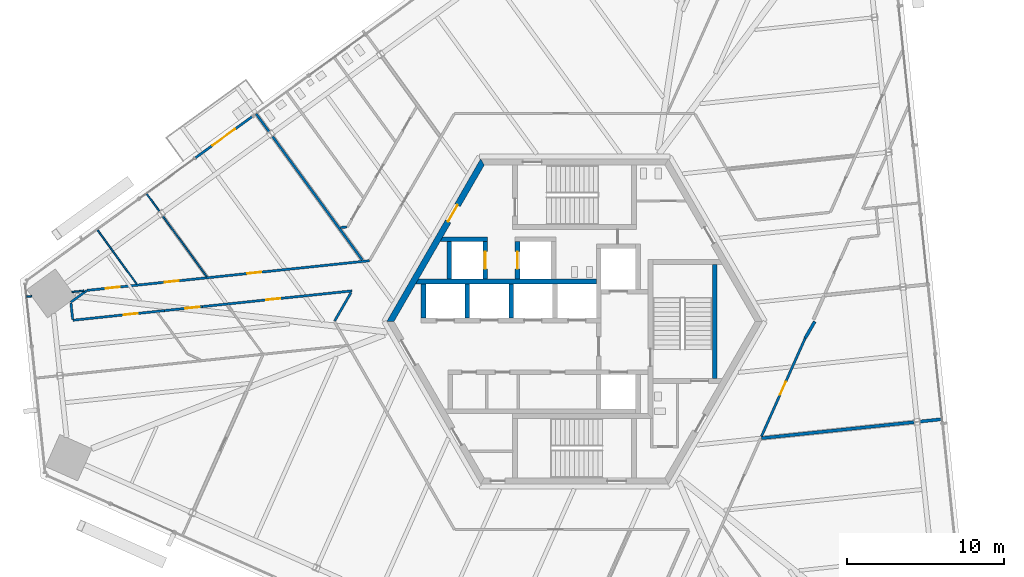
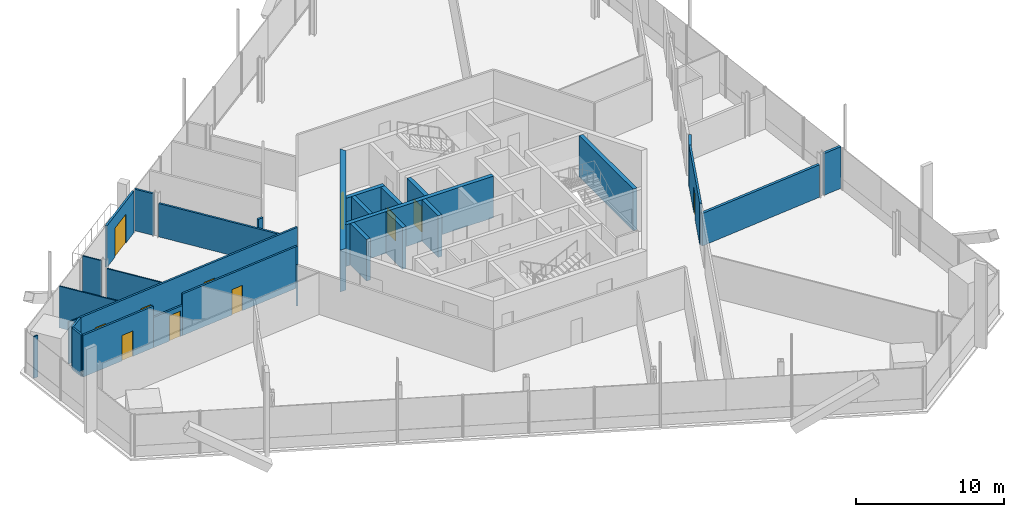
# One storey, part 12 of 21: 30 walls, 11 doors, 11 openings.
"""IFC4 building model written with IfcOpenShell, lengths in metres."""

from ifc_helpers import new_model, si_unit, direction, frame, frame_2d, origin, place, context, subcontext, project, spatial, polyline, rectangle, outline, extrude, source, transform, mapped, material, layer, layer_set, type_object, element, fill, save


model = new_model("IFC4")

# Units and contexts
model_context = context("Model", 3, precision=1e-05, world=origin(), true_north=direction((0.0, 1.0)))
body_context = subcontext(model_context, "Body", "Model", "MODEL_VIEW")
ifc_project = project(units=[si_unit("LENGTHUNIT", "METRE"), si_unit("AREAUNIT", "SQUARE_METRE"), si_unit("VOLUMEUNIT", "CUBIC_METRE"), si_unit("PLANEANGLEUNIT", "RADIAN"), si_unit("MASSUNIT", "GRAM", prefix="KILO")], contexts=[model_context])

# Site, building, storey
site_placement = place(None, origin())
site = spatial("IfcSite", under=ifc_project, at=site_placement, CompositionType="ELEMENT")
building_placement = place(site_placement, origin())
building = spatial("IfcBuilding", under=site, at=building_placement, Name="Triune Harvest Tower", CompositionType="ELEMENT")
storey_placement = place(building_placement, frame((0.0, 0.0, 87.300048828125)))
storey = spatial("IfcBuildingStorey", under=building, at=storey_placement, Name="L21", CompositionType="ELEMENT", Elevation=87.300048828125)

# Walls
ifc_material_1 = material(Name="Gypsum board on steel studs", Category="steel")
ifc_layer_1 = layer(ifc_material_1, 0.14990234375)
ifc_layer_set_1 = layer_set([ifc_layer_1], Name="Gypsum board on steel studs")
wall_type_1 = type_object("IfcWallType", Name="Fire Partition 150 mm", PredefinedType="PARTITIONING", material=ifc_layer_set_1)
wall_1_placement = place(storey_placement, frame((-32.1767578125, 1.18798828125, 0.0), z_axis=(0.0, 0.0, 1.0), x_axis=(0.104433875774, -0.994531832367, 0.0)))
element("IfcWall", 1, at=wall_1_placement, inside=storey, type_object=wall_type_1, Name="Partition L21 001", PredefinedType="PARTITIONING", context=body_context, shape_type="SweptSolid", body=[
    extrude(rectangle(XDim=1.063720703125, YDim=0.14990234375, at=frame_2d((0.53173828125, 0.0))), origin(), (0.0, 0.0, 1.0), 3.43994140625),
])
wall_2_placement = place(storey_placement, frame((-19.2958984375, 11.821533203125, 0.0), z_axis=(0.0, 0.0, 1.0), x_axis=(0.58779659538, -0.809008753018, 0.0)))
element("IfcWall", 2, at=wall_2_placement, inside=storey, type_object=wall_type_1, Name="Partition L21 011", PredefinedType="PARTITIONING", context=body_context, shape_type="SweptSolid", body=[
    extrude(rectangle(XDim=9.754150390625, YDim=0.14990234375, at=frame_2d((4.876953125, 0.0))), origin(), (0.0, 0.0, 1.0), 2.7568359375),
])

# Wall, opening, door
wall_3_placement = place(storey_placement, frame((-32.060302734375, 0.080078125, 0.0), z_axis=(0.0, 0.0, 1.0), x_axis=(0.99451794605, 0.104566031697, 0.0)))
wall_3 = element("IfcWall", 3, at=wall_3_placement, inside=storey, type_object=wall_type_1, Name="Partition L21 027", PredefinedType="PARTITIONING", context=body_context, shape_type="SweptSolid", body=[
    extrude(rectangle(XDim=5.885986328125, YDim=0.14990234375, at=frame_2d((2.94287109375, 0.0))), origin(), (0.0, 0.0, 1.0), 3.43994140625),
])
opening_1_placement = place(wall_3_placement, frame((3.265869140625, 0.0, 0.0)))
opening_1 = element("IfcOpeningElement", 4, at=opening_1_placement, cuts=wall_3, Name="Opening L21-017", PredefinedType="OPENING", context=body_context, shape_type="SweptSolid", body=[
    extrude(rectangle(XDim=0.89990234375, YDim=2.10009765625, at=frame_2d((0.449951171875, 1.050048828125))), frame((0.0, 0.0849609375, 0.0), z_axis=(0.0, -1.0, 0.0), x_axis=(1.0, 0.0, 0.0)), (0.0, 0.0, 1.0), 0.169921875),
])
ifc_material_2 = material(Name="Timber and steel door set", Category="steel")
door_type_1 = type_object("IfcDoorType", Name="Single leaf door FD30 right hand 900 x 2100", OperationType="SINGLE_SWING_RIGHT", PredefinedType="DOOR", material=ifc_material_2)
door_1_placement = place(opening_1_placement, origin())
door_1 = element("IfcDoor", 5, at=door_1_placement, inside=storey, type_object=door_type_1, Name="Door L21-017 Meeting Room 21.17", OperationType="SINGLE_SWING_RIGHT", OverallHeight=2.10009765625, OverallWidth=0.89990234375, PredefinedType="DOOR", context=body_context, shape_type="SweptSolid", body=[
    extrude(rectangle(XDim=0.89990234375, YDim=2.10009765625, at=frame_2d((0.449951171875, 1.050048828125))), frame((0.0, 0.02490234375, 0.0), z_axis=(0.0, -1.0, 0.0), x_axis=(1.0, 0.0, 0.0)), (0.0, 0.0, 1.0), 0.050048828125),
])
fill(opening_1, door_1)

wall_4_placement = place(storey_placement, frame((-26.20654296875, 0.695556640625, 0.0), z_axis=(0.0, 0.0, 1.0), x_axis=(0.994520243756, 0.104544176112, 0.0)))
wall_4 = element("IfcWall", 6, at=wall_4_placement, inside=storey, type_object=wall_type_1, Name="Partition L21 027a", PredefinedType="PARTITIONING", context=body_context, shape_type="SweptSolid", body=[
    extrude(rectangle(XDim=2.4404296875, YDim=0.14990234375, at=frame_2d((1.22021484375, 0.0))), origin(), (0.0, 0.0, 1.0), 2.49755859375),
])
opening_2_placement = place(wall_4_placement, frame((1.353759765625, 0.0, 0.0)))
opening_2 = element("IfcOpeningElement", 7, at=opening_2_placement, cuts=wall_4, Name="Opening L21-016", PredefinedType="OPENING", context=body_context, shape_type="SweptSolid", body=[
    extrude(rectangle(XDim=0.89990234375, YDim=2.10009765625, at=frame_2d((0.449951171875, 1.050048828125))), frame((0.0, 0.0849609375, 0.0), z_axis=(0.0, -1.0, 0.0), x_axis=(1.0, 0.0, 0.0)), (0.0, 0.0, 1.0), 0.169921875),
])
door_2_placement = place(opening_2_placement, origin())
door_2 = element("IfcDoor", 8, at=door_2_placement, inside=storey, type_object=door_type_1, Name="Door L21-016 Office 21.16", OperationType="SINGLE_SWING_RIGHT", OverallHeight=2.10009765625, OverallWidth=0.89990234375, PredefinedType="DOOR", context=body_context, shape_type="SweptSolid", body=[
    extrude(rectangle(XDim=0.89990234375, YDim=2.10009765625, at=frame_2d((0.449951171875, 1.050048828125))), frame((0.0, 0.02490234375, 0.0), z_axis=(0.0, -1.0, 0.0), x_axis=(1.0, 0.0, 0.0)), (0.0, 0.0, 1.0), 0.050048828125),
])
fill(opening_2, door_2)

wall_5_placement = place(storey_placement, frame((-23.779541015625, 0.95068359375, 0.0), z_axis=(0.0, 0.0, 1.0), x_axis=(0.994523668528, 0.104511591399, 0.0)))
wall_5 = element("IfcWall", 9, at=wall_5_placement, inside=storey, type_object=wall_type_1, Name="Partition L21 027b", PredefinedType="PARTITIONING", context=body_context, shape_type="SweptSolid", body=[
    extrude(rectangle(XDim=9.61279296875, YDim=0.14990234375, at=frame_2d((4.806396484375, 0.0))), origin(), (0.0, 0.0, 1.0), 3.43994140625),
])
opening_3_placement = place(wall_5_placement, frame((4.114501953125, 0.0, 0.0)))
opening_3 = element("IfcOpeningElement", 10, at=opening_3_placement, cuts=wall_5, Name="Opening L21-013", PredefinedType="OPENING", context=body_context, shape_type="SweptSolid", body=[
    extrude(rectangle(XDim=0.89990234375, YDim=2.10009765625, at=frame_2d((0.449951171875, 1.050048828125))), frame((0.0, 0.0849609375, 0.0), z_axis=(0.0, -1.0, 0.0), x_axis=(1.0, 0.0, 0.0)), (0.0, 0.0, 1.0), 0.169921875),
])
ifc_material_3 = material(Name="Timber and steel door set", Category="steel")
door_type_2 = type_object("IfcDoorType", Name="Single leaf door FD30 left hand 900 x 2100", OperationType="SINGLE_SWING_LEFT", PredefinedType="DOOR", material=ifc_material_3)
door_3_placement = place(opening_3_placement, origin())
door_3 = element("IfcDoor", 11, at=door_3_placement, inside=storey, type_object=door_type_2, Name="Door L21-013 Meeting Room 21.13", OperationType="SINGLE_SWING_LEFT", OverallHeight=2.10009765625, OverallWidth=0.89990234375, PredefinedType="DOOR", context=body_context, shape_type="SweptSolid", body=[
    extrude(rectangle(XDim=0.89990234375, YDim=2.10009765625, at=frame_2d((0.449951171875, 1.050048828125))), frame((0.0, 0.02490234375, 0.0), z_axis=(0.0, -1.0, 0.0), x_axis=(1.0, 0.0, 0.0)), (0.0, 0.0, 1.0), 0.050048828125),
])
fill(opening_3, door_3)

# Wall, openings, doors
wall_6_placement = place(storey_placement, frame((-31.15283203125, 1.986083984375, 0.0), z_axis=(0.0, 0.0, 1.0), x_axis=(0.994522838702, 0.104519487662, 0.0)))
wall_6 = element("IfcWall", 12, at=wall_6_placement, inside=storey, type_object=wall_type_1, Name="Partition L21 031", PredefinedType="PARTITIONING", context=body_context, shape_type="SweptSolid", body=[
    extrude(rectangle(XDim=18.144775390625, YDim=0.14990234375, at=frame_2d((9.072265625, 0.0))), origin(), (0.0, 0.0, 1.0), 3.43994140625),
])
opening_4_placement = place(wall_6_placement, frame((10.30126953125, 0.0, 0.0)))
opening_4 = element("IfcOpeningElement", 13, at=opening_4_placement, cuts=wall_6, Name="Opening L21-012", PredefinedType="OPENING", context=body_context, shape_type="SweptSolid", body=[
    extrude(rectangle(XDim=0.89990234375, YDim=2.10009765625, at=frame_2d((0.449951171875, 1.050048828125))), frame((0.0, 0.0849609375, 0.0), z_axis=(0.0, -1.0, 0.0), x_axis=(1.0, 0.0, 0.0)), (0.0, 0.0, 1.0), 0.169921875),
])
opening_5_placement = place(wall_6_placement, frame((1.198974609375, 0.0, 0.0)))
opening_5 = element("IfcOpeningElement", 14, at=opening_5_placement, cuts=wall_6, Name="Opening L21-014", PredefinedType="OPENING", context=body_context, shape_type="SweptSolid", body=[
    extrude(rectangle(XDim=0.89990234375, YDim=2.10009765625, at=frame_2d((0.449951171875, 1.050048828125))), frame((0.0, 0.0849609375, 0.0), z_axis=(0.0, -1.0, 0.0), x_axis=(1.0, 0.0, 0.0)), (0.0, 0.0, 1.0), 0.169921875),
])
opening_6_placement = place(wall_6_placement, frame((4.999755859375, 0.0, 0.0)))
opening_6 = element("IfcOpeningElement", 15, at=opening_6_placement, cuts=wall_6, Name="Opening L21-015", PredefinedType="OPENING", context=body_context, shape_type="SweptSolid", body=[
    extrude(rectangle(XDim=0.89990234375, YDim=2.10009765625, at=frame_2d((0.449951171875, 1.050048828125))), frame((0.0, 0.0849609375, 0.0), z_axis=(0.0, -1.0, 0.0), x_axis=(1.0, 0.0, 0.0)), (0.0, 0.0, 1.0), 0.169921875),
])
door_4_placement = place(opening_5_placement, origin())
door_4 = element("IfcDoor", 16, at=door_4_placement, inside=storey, type_object=door_type_2, Name="Door L21-014 Meeting Room 21.14", OperationType="SINGLE_SWING_LEFT", OverallHeight=2.10009765625, OverallWidth=0.89990234375, PredefinedType="DOOR", context=body_context, shape_type="SweptSolid", body=[
    extrude(rectangle(XDim=0.89990234375, YDim=2.10009765625, at=frame_2d((0.449951171875, 1.050048828125))), frame((0.0, 0.02490234375, 0.0), z_axis=(0.0, -1.0, 0.0), x_axis=(1.0, 0.0, 0.0)), (0.0, 0.0, 1.0), 0.050048828125),
])
fill(opening_5, door_4)
door_5_placement = place(opening_6_placement, origin())
door_5 = element("IfcDoor", 17, at=door_5_placement, inside=storey, type_object=door_type_2, Name="Door L21-015 Office 21.15", OperationType="SINGLE_SWING_LEFT", OverallHeight=2.10009765625, OverallWidth=0.89990234375, PredefinedType="DOOR", context=body_context, shape_type="SweptSolid", body=[
    extrude(rectangle(XDim=0.89990234375, YDim=2.10009765625, at=frame_2d((0.449951171875, 1.050048828125))), frame((0.0, 0.02490234375, 0.0), z_axis=(0.0, -1.0, 0.0), x_axis=(1.0, 0.0, 0.0)), (0.0, 0.0, 1.0), 0.050048828125),
])
fill(opening_6, door_5)
door_6_placement = place(opening_4_placement, origin())
door_6 = element("IfcDoor", 18, at=door_6_placement, inside=storey, type_object=door_type_1, Name="Door L21-012 Project Room 21.12", OperationType="SINGLE_SWING_RIGHT", OverallHeight=2.10009765625, OverallWidth=0.89990234375, PredefinedType="DOOR", context=body_context, shape_type="SweptSolid", body=[
    extrude(rectangle(XDim=0.89990234375, YDim=2.10009765625, at=frame_2d((0.449951171875, 1.050048828125))), frame((0.0, 0.02490234375, 0.0), z_axis=(0.0, -1.0, 0.0), x_axis=(1.0, 0.0, 0.0)), (0.0, 0.0, 1.0), 0.050048828125),
])
fill(opening_4, door_6)

# Walls
wall_7_placement = place(storey_placement, frame((-14.949462890625, 6.001220703125, 0.0), z_axis=(0.0, 0.0, 1.0), x_axis=(0.994502096914, 0.104716661682, 0.0)))
element("IfcWall", 19, at=wall_7_placement, inside=storey, type_object=wall_type_1, Name="Partition L21 035", PredefinedType="PARTITIONING", context=body_context, shape_type="SweptSolid", body=[
    extrude(rectangle(XDim=0.398681640625, YDim=0.14990234375, at=frame_2d((0.19921875, 0.0))), origin(), (0.0, 0.0, 1.0), 3.43994140625),
])
wall_8_placement = place(storey_placement, frame((-15.323486328125, 0.043212890625, 0.0), z_axis=(0.0, 0.0, 1.0), x_axis=(0.499911367677, 0.866076569633, 0.0)))
element("IfcWall", 20, at=wall_8_placement, inside=storey, type_object=wall_type_1, Name="Partition L21 039", PredefinedType="PARTITIONING", context=body_context, shape_type="SweptSolid", body=[
    extrude(rectangle(XDim=2.08837890625, YDim=0.14990234375, at=frame_2d((1.044189453125, 0.0))), origin(), (0.0, 0.0, 1.0), 3.43994140625),
])

# Wall, opening, door
wall_9_placement = place(storey_placement, frame((11.94189453125, -7.335693359375, 0.0), z_axis=(0.0, 0.0, 1.0), x_axis=(0.406758583313, 0.913535688904, 0.0)))
wall_9 = element("IfcWall", 21, at=wall_9_placement, inside=storey, type_object=wall_type_1, Name="Partition L21 043", PredefinedType="PARTITIONING", context=body_context, shape_type="SweptSolid", body=[
    extrude(rectangle(XDim=6.866455078125, YDim=0.14990234375, at=frame_2d((3.43310546875, 0.0))), origin(), (0.0, 0.0, 1.0), 3.43994140625),
])
opening_7_placement = place(wall_9_placement, frame((2.913330078125, 0.0, 0.0)))
opening_7 = element("IfcOpeningElement", 22, at=opening_7_placement, cuts=wall_9, Name="Opening L21-002", PredefinedType="OPENING", context=body_context, shape_type="SweptSolid", body=[
    extrude(rectangle(XDim=0.89990234375, YDim=2.10009765625, at=frame_2d((0.449951171875, 1.050048828125))), frame((0.0, 0.0849609375, 0.0), z_axis=(0.0, -1.0, 0.0), x_axis=(1.0, 0.0, 0.0)), (0.0, 0.0, 1.0), 0.169921875),
])
door_7_placement = place(opening_7_placement, origin())
door_7 = element("IfcDoor", 23, at=door_7_placement, inside=storey, type_object=door_type_2, Name="Door L21-002 Commercial Trial Kitchen 21.02", OperationType="SINGLE_SWING_LEFT", OverallHeight=2.10009765625, OverallWidth=0.89990234375, PredefinedType="DOOR", context=body_context, shape_type="SweptSolid", body=[
    extrude(rectangle(XDim=0.89990234375, YDim=2.10009765625, at=frame_2d((0.449951171875, 1.050048828125))), frame((0.0, 0.02490234375, 0.0), z_axis=(0.0, -1.0, 0.0), x_axis=(1.0, 0.0, 0.0)), (0.0, 0.0, 1.0), 0.050048828125),
])
fill(opening_7, door_7)

# Walls
ifc_material_4 = material(Name="Gypsum board on steel studs", Category="steel")
ifc_layer_2 = layer(ifc_material_4, 0.199951171875)
ifc_layer_set_2 = layer_set([ifc_layer_2], Name="Gypsum board on steel studs")
wall_type_2 = type_object("IfcWallType", Name="Fire Wall 200 mm", PredefinedType="PARTITIONING", material=ifc_layer_set_2)
wall_10_placement = place(storey_placement, frame((11.936279296875, -7.455322265625, 0.0), z_axis=(0.0, 0.0, 1.0), x_axis=(0.994521525856, 0.10453197888, 0.0)))
element("IfcWall", 24, at=wall_10_placement, inside=storey, type_object=wall_type_2, Name="Partition L21 021", PredefinedType="PARTITIONING", context=body_context, shape_type="SweptSolid", body=[
    extrude(rectangle(XDim=9.81396484375, YDim=0.199951171875, at=frame_2d((4.906982421875, 0.0))), origin(), (0.0, 0.0, 1.0), 2.682861328125),
])
wall_11_placement = place(storey_placement, frame((22.068115234375, -6.390380859375, 0.0), z_axis=(0.0, 0.0, 1.0), x_axis=(0.994529002172, 0.104460824419, 0.0)))
element("IfcWall", 25, at=wall_11_placement, inside=storey, type_object=wall_type_2, Name="Partition L21 022", PredefinedType="PARTITIONING", context=body_context, shape_type="SweptSolid", body=[
    extrude(rectangle(XDim=1.418701171875, YDim=0.199951171875, at=frame_2d((0.70947265625, 0.0))), origin(), (0.0, 0.0, 1.0), 3.43994140625),
])
wall_12_placement = place(storey_placement, frame((14.73486328125, -1.06298828125, 0.0), z_axis=(0.0, 0.0, 1.0), x_axis=(0.500032359733, 0.866006720078, 0.0)))
element("IfcWall", 26, at=wall_12_placement, inside=storey, type_object=wall_type_2, Name="Partition L21 038", PredefinedType="PARTITIONING", context=body_context, shape_type="SweptSolid", body=[
    extrude(rectangle(XDim=1.2275390625, YDim=0.199951171875, at=frame_2d((0.61376953125, 0.0))), origin(), (0.0, 0.0, 1.0), 3.43994140625),
])
ifc_material_5 = material(Name="Gypsum board on steel studs", Category="steel")
ifc_layer_3 = layer(ifc_material_5, 0.10009765625)
ifc_layer_set_3 = layer_set([ifc_layer_3], Name="Gypsum board on steel studs")
wall_type_3 = type_object("IfcWallType", Name="Partition 100 mm", PredefinedType="PARTITIONING", material=ifc_layer_set_3)
wall_13_placement = place(storey_placement, frame((-26.3037109375, 6.72998046875, 0.0), z_axis=(0.0, 0.0, 1.0), x_axis=(0.587761041965, -0.809034583654, 0.0)))
element("IfcWall", 27, at=wall_13_placement, inside=storey, type_object=wall_type_3, Name="Partition L21 008", PredefinedType="PARTITIONING", context=body_context, shape_type="SweptSolid", body=[
    extrude(rectangle(XDim=4.77294921875, YDim=0.10009765625, at=frame_2d((2.386474609375, 0.0))), origin(), (0.0, 0.0, 1.0), 2.904052734375),
])
wall_14_placement = place(storey_placement, frame((-35.013427734375, 1.580322265625, 0.0), z_axis=(0.0, 0.0, 1.0), x_axis=(0.994470165016, 0.105019478633, 0.0)))
element("IfcWall", 28, at=wall_14_placement, inside=storey, type_object=wall_type_3, Name="Partition L21 029", PredefinedType="PARTITIONING", context=body_context, shape_type="SweptSolid", body=[
    extrude(rectangle(XDim=0.341796875, YDim=0.10009765625, at=frame_2d((0.1708984375, 0.0))), origin(), (0.0, 0.0, 1.0), 3.43994140625),
])
wall_15_placement = place(storey_placement, frame((-32.11279296875, 1.88525390625, 0.0), z_axis=(0.0, 0.0, 1.0), x_axis=(0.994524466312, 0.104503999476, 0.0)))
element("IfcWall", 29, at=wall_15_placement, inside=storey, type_object=wall_type_3, Name="Partition L21 030", PredefinedType="PARTITIONING", context=body_context, shape_type="SweptSolid", body=[
    extrude(rectangle(XDim=0.773193359375, YDim=0.10009765625, at=frame_2d((0.38671875, 0.0))), origin(), (0.0, 0.0, 1.0), 3.43994140625),
])

# Wall, opening, door
ifc_material_6 = material(Name="Concrete 70 MPa", Category="concrete")
ifc_layer_4 = layer(ifc_material_6, 0.39990234375)
ifc_layer_set_4 = layer_set([ifc_layer_4], Name="Concrete 70 MPa")
wall_type_4 = type_object("IfcWallType", Name="Core wall 400", PredefinedType="SHEAR", material=ifc_layer_set_4)
shared_shape_1 = source(origin(), body_context, "Body", "SweptSolid", [
    extrude(outline(polyline([(-0.115478515625, -0.199951171875), (11.884521484375, -0.199951171875), (11.653564453125, 0.199951171875), (0.115478515625, 0.199951171875), (-0.115478515625, -0.199951171875)])), origin(), (0.0, 0.0, 1.0), 3.43994140625),
])
wall_16_placement = place(storey_placement, frame((-5.884521484375, 10.1923828125, 0.0), z_axis=(0.0, 0.0, 1.0), x_axis=(-0.499996592174, -0.866027371285, 0.0)))
wall_16 = element("IfcWall", 30, at=wall_16_placement, inside=storey, type_object=wall_type_4, Name="Hexagon 2 wall", PredefinedType="SHEAR", context=body_context, shape_type="MappedRepresentation", body=[
    mapped(shared_shape_1, transform((0.0, 0.0, 0.0), scale=1.0)),
])
opening_8_placement = place(wall_16_placement, frame((3.1845703125, 0.0, 0.0)))
opening_8 = element("IfcOpeningElement", 31, at=opening_8_placement, cuts=wall_16, Name="Opening CD-SVP", PredefinedType="OPENING", context=body_context, shape_type="SweptSolid", body=[
    extrude(rectangle(XDim=1.199951171875, YDim=2.10009765625, at=frame_2d((0.60009765625, 1.050048828125))), frame((0.0, 0.2099609375, 0.0), z_axis=(0.0, -1.0, 0.0), x_axis=(1.0, 0.0, 0.0)), (0.0, 0.0, 1.0), 0.419921875),
])
ifc_material_7 = material(Name="Steel S235", Category="steel")
door_type_3 = type_object("IfcDoorType", Name="Service door 1200 FD120", OperationType="SINGLE_SWING_LEFT", PredefinedType="DOOR", material=ifc_material_7)
door_8_placement = place(opening_8_placement, frame((1.199951171875, 0.0, 0.0), z_axis=(0.0, 0.0, 1.0), x_axis=(-1.0, 0.0, 0.0)))
door_8 = element("IfcDoor", 32, at=door_8_placement, inside=storey, type_object=door_type_3, Name="Door CD-SVP", OperationType="SINGLE_SWING_RIGHT", OverallHeight=2.10009765625, OverallWidth=1.199951171875, PredefinedType="DOOR", context=body_context, shape_type="SweptSolid", body=[
    extrude(rectangle(XDim=1.199951171875, YDim=2.10009765625, at=frame_2d((0.60009765625, 1.050048828125))), frame((0.0, 0.02490234375, 0.0), z_axis=(0.0, -1.0, 0.0), x_axis=(1.0, 0.0, 0.0)), (0.0, 0.0, 1.0), 0.050048828125),
])
fill(opening_8, door_8)

# Walls
ifc_material_8 = material(Name="Concrete 70 MPa", Category="concrete")
ifc_layer_5 = layer(ifc_material_8, 0.300048828125)
ifc_layer_set_5 = layer_set([ifc_layer_5], Name="Concrete 70 MPa")
wall_type_5 = type_object("IfcWallType", Name="Core wall 300", PredefinedType="SHEAR", material=ifc_layer_set_5)
shared_shape_2 = source(origin(), body_context, "Body", "SweptSolid", [
    extrude(outline(polyline([(11.199951171875, -0.14990234375), (-0.34912109375, -0.14990234375), (-0.17578125, 0.14990234375), (11.199951171875, 0.14990234375), (11.199951171875, -0.14990234375)])), origin(), (0.0, 0.0, 1.0), 3.43994140625),
])
wall_17_placement = place(storey_placement, frame((-9.800048828125, 2.56005859375, 0.0), z_axis=(0.0, 0.0, 1.0), x_axis=(1.0, 0.0, 0.0)))
element("IfcWall", 33, at=wall_17_placement, inside=storey, type_object=wall_type_5, Name="North back wall", PredefinedType="SHEAR", context=body_context, shape_type="MappedRepresentation", body=[
    mapped(shared_shape_2, transform((0.0, 0.0, 0.0), scale=1.0)),
])
shared_shape_3 = source(origin(), body_context, "Body", "SweptSolid", [
    extrude(rectangle(XDim=2.199951171875, YDim=0.300048828125, at=frame_2d((1.10009765625, 0.0))), origin(), (0.0, 0.0, 1.0), 3.43994140625),
])
for number, where, z_axis, x_axis, name in (
    (34, (-9.64990234375, 0.2099609375, 0.0), (0.0, 0.0, 1.0), (0.0, 1.0, 0.0), "North end west wall"),
    (35, (-6.85009765625, 0.2099609375, 0.0), (0.0, 0.0, 1.0), (0.0, 1.0, 0.0), "North cross 1 wall"),
    (36, (-4.050048828125, 0.2099609375, 0.0), (0.0, 0.0, 1.0), (0.0, 1.0, 0.0), "North cross 2 wall"),
):
    element("IfcWall", number, at=place(storey_placement, frame(where, z_axis=z_axis, x_axis=x_axis)), inside=storey, type_object=wall_type_5, Name=name, PredefinedType="SHEAR", context=body_context, shape_type="MappedRepresentation", body=[
        mapped(shared_shape_3, transform((0.0, 0.0, 0.0), scale=1.0)),
    ])
shared_shape_4 = source(origin(), body_context, "Body", "SweptSolid", [
    extrude(rectangle(XDim=7.2998046875, YDim=0.300048828125, at=frame_2d((3.64990234375, 0.0))), origin(), (0.0, 0.0, 1.0), 3.43994140625),
])
wall_18_placement = place(storey_placement, frame((8.949951171875, -3.64990234375, 0.0), z_axis=(0.0, 0.0, 1.0), x_axis=(0.0, 1.0, 0.0)))
element("IfcWall", 37, at=wall_18_placement, inside=storey, type_object=wall_type_5, Name="Stair e east wall", PredefinedType="SHEAR", context=body_context, shape_type="MappedRepresentation", body=[
    mapped(shared_shape_4, transform((0.0, 0.0, 0.0), scale=1.0)),
])
shared_shape_5 = source(origin(), body_context, "Body", "SweptSolid", [
    extrude(outline(polyline([(2.60009765625, -0.14990234375), (-0.440185546875, -0.14990234375), (-0.26708984375, 0.14990234375), (2.60009765625, 0.14990234375), (2.60009765625, -0.14990234375)])), origin(), (0.0, 0.0, 1.0), 3.43994140625),
])
wall_19_placement = place(storey_placement, frame((-8.14990234375, 5.260009765625, 0.0), z_axis=(0.0, 0.0, 1.0), x_axis=(1.0, 0.0, 0.0)))
element("IfcWall", 38, at=wall_19_placement, inside=storey, type_object=wall_type_5, Name="Sv1 north wall", PredefinedType="SHEAR", context=body_context, shape_type="MappedRepresentation", body=[
    mapped(shared_shape_5, transform((0.0, 0.0, 0.0), scale=1.0)),
])
shared_shape_6 = source(origin(), body_context, "Body", "SweptSolid", [
    extrude(rectangle(XDim=2.400146484375, YDim=0.300048828125, at=frame_2d((1.2001953125, 0.0))), origin(), (0.0, 0.0, 1.0), 3.43994140625),
])
wall_20_placement = place(storey_placement, frame((-8.0, 2.7099609375, 0.0), z_axis=(0.0, 0.0, 1.0), x_axis=(0.0, 1.0, 0.0)))
element("IfcWall", 39, at=wall_20_placement, inside=storey, type_object=wall_type_5, Name="Sv1 west wall", PredefinedType="SHEAR", context=body_context, shape_type="MappedRepresentation", body=[
    mapped(shared_shape_6, transform((0.0, 0.0, 0.0), scale=1.0)),
])

# Wall, opening, door
wall_21_placement = place(storey_placement, frame((-5.699951171875, 2.7099609375, 0.0), z_axis=(0.0, 0.0, 1.0), x_axis=(0.0, 1.0, 0.0)))
wall_21 = element("IfcWall", 40, at=wall_21_placement, inside=storey, type_object=wall_type_5, Name="Sv1 east wall", PredefinedType="SHEAR", context=body_context, shape_type="MappedRepresentation", body=[
    mapped(shared_shape_6, transform((0.0, 0.0, 0.0), scale=1.0)),
])
opening_9_placement = place(wall_21_placement, frame((0.64990234375, 0.0, 0.0)))
opening_9 = element("IfcOpeningElement", 41, at=opening_9_placement, cuts=wall_21, Name="Opening LD-SV1-21", PredefinedType="OPENING", context=body_context, shape_type="SweptSolid", body=[
    extrude(rectangle(XDim=1.10009765625, YDim=2.10009765625, at=frame_2d((0.550048828125, 1.050048828125))), frame((0.0, 0.16015625, 0.0), z_axis=(0.0, -1.0, 0.0), x_axis=(1.0, 0.0, 0.0)), (0.0, 0.0, 1.0), 0.320068359375),
])
ifc_material_9 = material(Name="Stainless steel AISI 304", Category="steel")
door_type_4 = type_object("IfcDoorType", Name="Landing door 1100 x 2100", OperationType="DOUBLE_DOOR_SLIDING", PredefinedType="DOOR", material=ifc_material_9)
door_9_placement = place(opening_9_placement, origin())
door_9 = element("IfcDoor", 42, at=door_9_placement, inside=storey, type_object=door_type_4, Name="Door LD-SV1-21", OperationType="DOUBLE_DOOR_SLIDING", OverallHeight=2.10009765625, OverallWidth=1.10009765625, PredefinedType="DOOR", context=body_context, shape_type="SweptSolid", body=[
    extrude(rectangle(XDim=1.10009765625, YDim=2.10009765625, at=frame_2d((0.550048828125, 1.050048828125))), frame((0.0, 0.02490234375, 0.0), z_axis=(0.0, -1.0, 0.0), x_axis=(1.0, 0.0, 0.0)), (0.0, 0.0, 1.0), 0.050048828125),
])
fill(opening_9, door_9)

wall_22_placement = place(storey_placement, frame((-3.64990234375, 2.7099609375, 0.0), z_axis=(0.0, 0.0, 1.0), x_axis=(0.0, 1.0, 0.0)))
wall_22 = element("IfcWall", 43, at=wall_22_placement, inside=storey, type_object=wall_type_5, Name="Sv2 west wall", PredefinedType="SHEAR", context=body_context, shape_type="MappedRepresentation", body=[
    mapped(shared_shape_6, transform((0.0, 0.0, 0.0), scale=1.0)),
])
opening_10_placement = place(wall_22_placement, frame((0.64990234375, 0.0, 0.0)))
opening_10 = element("IfcOpeningElement", 44, at=opening_10_placement, cuts=wall_22, Name="Opening LD-SV2-21", PredefinedType="OPENING", context=body_context, shape_type="SweptSolid", body=[
    extrude(rectangle(XDim=1.10009765625, YDim=2.10009765625, at=frame_2d((0.550048828125, 1.050048828125))), frame((0.0, 0.16015625, 0.0), z_axis=(0.0, -1.0, 0.0), x_axis=(1.0, 0.0, 0.0)), (0.0, 0.0, 1.0), 0.320068359375),
])
door_10_placement = place(opening_10_placement, origin())
door_10 = element("IfcDoor", 45, at=door_10_placement, inside=storey, type_object=door_type_4, Name="Door LD-SV2-21", OperationType="DOUBLE_DOOR_SLIDING", OverallHeight=2.10009765625, OverallWidth=1.10009765625, PredefinedType="DOOR", context=body_context, shape_type="SweptSolid", body=[
    extrude(rectangle(XDim=1.10009765625, YDim=2.10009765625, at=frame_2d((0.550048828125, 1.050048828125))), frame((0.0, 0.02490234375, 0.0), z_axis=(0.0, -1.0, 0.0), x_axis=(1.0, 0.0, 0.0)), (0.0, 0.0, 1.0), 0.050048828125),
])
fill(opening_10, door_10)

ifc_material_10 = material(Name="Aluminium bronze anodised", Category="aluminium")
ifc_layer_6 = layer(ifc_material_10, 0.14990234375)
ifc_layer_set_6 = layer_set([ifc_layer_6], Name="Aluminium bronze anodised")
wall_type_6 = type_object("IfcWallType", Name="WW-2 balcony window wall", PredefinedType="ELEMENTEDWALL", material=ifc_layer_set_6)
shared_shape_7 = source(origin(), body_context, "Body", "SweptSolid", [
    extrude(rectangle(XDim=4.485595703125, YDim=0.14990234375, at=frame_2d((2.24267578125, 0.0))), origin(), (0.0, 0.0, 1.0), 3.43994140625),
])
wall_23_placement = place(storey_placement, frame((-24.22802734375, 10.453369140625, 0.0), z_axis=(0.0, 0.0, 1.0), x_axis=(0.809025487211, 0.587773562728, 0.0)))
wall_23 = element("IfcWall", 46, at=wall_23_placement, inside=storey, type_object=wall_type_6, Name="WW-2 B2-F3 L21.9", PredefinedType="ELEMENTEDWALL", context=body_context, shape_type="MappedRepresentation", body=[
    mapped(shared_shape_7, transform((0.0, 0.0, 0.0), scale=1.0)),
])
opening_11_placement = place(wall_23_placement, frame((1.3427734375, 0.0, 0.0)))
opening_11 = element("IfcOpeningElement", 47, at=opening_11_placement, cuts=wall_23, Name="Opening L21-E01", PredefinedType="OPENING", context=body_context, shape_type="SweptSolid", body=[
    extrude(rectangle(XDim=1.800048828125, YDim=2.39990234375, at=frame_2d((0.89990234375, 1.199951171875))), frame((0.0, 0.0849609375, 0.0), z_axis=(0.0, -1.0, 0.0), x_axis=(1.0, 0.0, 0.0)), (0.0, 0.0, 1.0), 0.169921875),
])
ifc_material_11 = material(Name="Glass", Category="glass")
door_type_5 = type_object("IfcDoorType", Name="DB-1 balcony door 1800 x 2400", OperationType="DOUBLE_DOOR_SINGLE_SWING", PredefinedType="DOOR", material=ifc_material_11)
door_11_placement = place(opening_11_placement, origin())
door_11 = element("IfcDoor", 48, at=door_11_placement, inside=storey, type_object=door_type_5, Name="Door L21-E01", OperationType="DOUBLE_DOOR_SINGLE_SWING", OverallHeight=2.39990234375, OverallWidth=1.800048828125, PredefinedType="DOOR", context=body_context, shape_type="SweptSolid", body=[
    extrude(rectangle(XDim=1.800048828125, YDim=2.39990234375, at=frame_2d((0.89990234375, 1.199951171875))), frame((0.0, 0.02490234375, 0.0), z_axis=(0.0, -1.0, 0.0), x_axis=(1.0, 0.0, 0.0)), (0.0, 0.0, 1.0), 0.050048828125),
])
fill(opening_11, door_11)

# Walls
shared_shape_8 = source(origin(), body_context, "Body", "SweptSolid", [
    extrude(rectangle(XDim=4.314697265625, YDim=0.10009765625, at=frame_2d((2.1572265625, 0.0))), origin(), (0.0, 0.0, 1.0), 3.43994140625),
])
wall_24_placement = place(storey_placement, frame((-30.5107421875, 5.888916015625, 0.0), z_axis=(0.0, 0.0, 1.0), x_axis=(0.587781361306, -0.809019821328, 0.0)))
element("IfcWall", 49, at=wall_24_placement, inside=storey, type_object=wall_type_3, Name="Partition L21 005", PredefinedType="PARTITIONING", context=body_context, shape_type="MappedRepresentation", body=[
    mapped(shared_shape_8, transform((0.0, 0.0, 0.0), scale=1.0)),
])
shared_shape_9 = source(origin(), body_context, "Body", "SweptSolid", [
    extrude(rectangle(XDim=1.252197265625, YDim=0.14990234375, at=frame_2d((0.6259765625, 0.0))), origin(), (0.0, 0.0, 1.0), 3.43994140625),
])
wall_25_placement = place(storey_placement, frame((-32.181884765625, 1.23779296875, 0.0), z_axis=(0.0, 0.0, 1.0), x_axis=(0.808963673702, 0.587858634903, 0.0)))
element("IfcWall", 50, at=wall_25_placement, inside=storey, type_object=wall_type_1, Name="Partition L21 037", PredefinedType="PARTITIONING", context=body_context, shape_type="MappedRepresentation", body=[
    mapped(shared_shape_9, transform((0.0, 0.0, 0.0), scale=1.0)),
])
shared_shape_10 = source(origin(), body_context, "Body", "SweptSolid", [
    extrude(rectangle(XDim=1.41845703125, YDim=0.10009765625, at=frame_2d((0.709228515625, 0.0))), origin(), (0.0, 0.0, 1.0), 3.43994140625),
])
wall_26_placement = place(storey_placement, frame((-27.357177734375, 8.1796875, 0.0), z_axis=(0.0, 0.0, 1.0), x_axis=(0.587813429905, -0.808996521392, 0.0)))
element("IfcWall", 51, at=wall_26_placement, inside=storey, type_object=wall_type_3, Name="Partition L21 007", PredefinedType="PARTITIONING", context=body_context, shape_type="MappedRepresentation", body=[
    mapped(shared_shape_10, transform((0.0, 0.0, 0.0), scale=1.0)),
])
shared_shape_11 = source(origin(), body_context, "Body", "SweptSolid", [
    extrude(rectangle(XDim=1.418701171875, YDim=0.14990234375, at=frame_2d((0.70947265625, 0.0))), origin(), (0.0, 0.0, 1.0), 3.43994140625),
])
wall_27_placement = place(storey_placement, frame((-20.349365234375, 13.271484375, 0.0), z_axis=(0.0, 0.0, 1.0), x_axis=(0.587844221839, -0.808974147208, 0.0)))
element("IfcWall", 52, at=wall_27_placement, inside=storey, type_object=wall_type_1, Name="Partition L21 010", PredefinedType="PARTITIONING", context=body_context, shape_type="MappedRepresentation", body=[
    mapped(shared_shape_11, transform((0.0, 0.0, 0.0), scale=1.0)),
])

save(model, "model.ifc")
